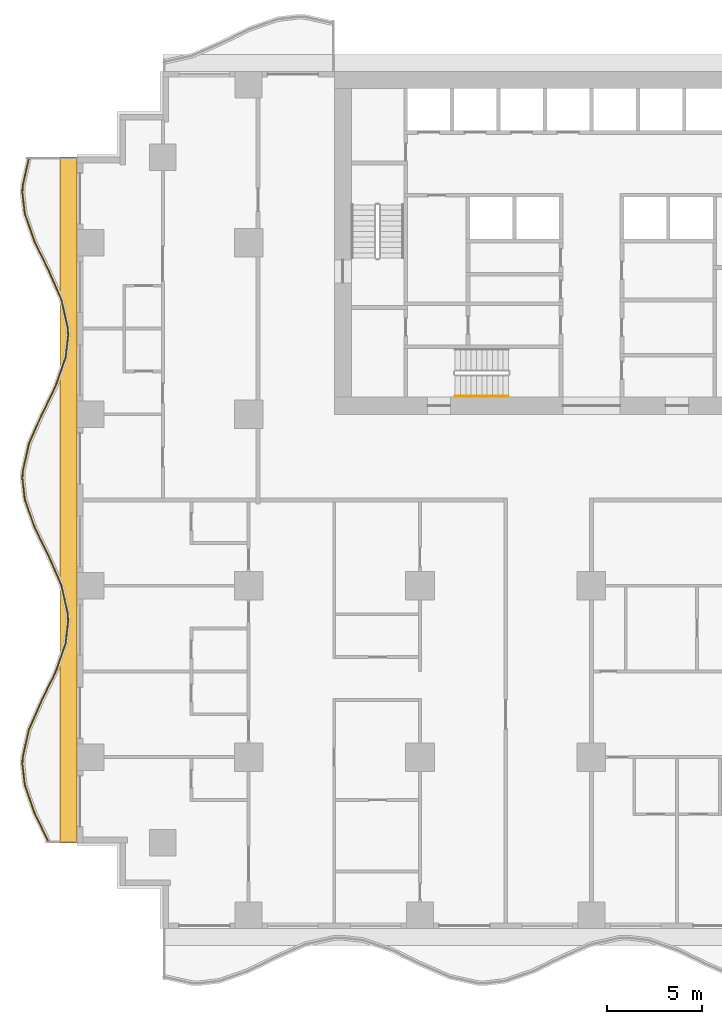
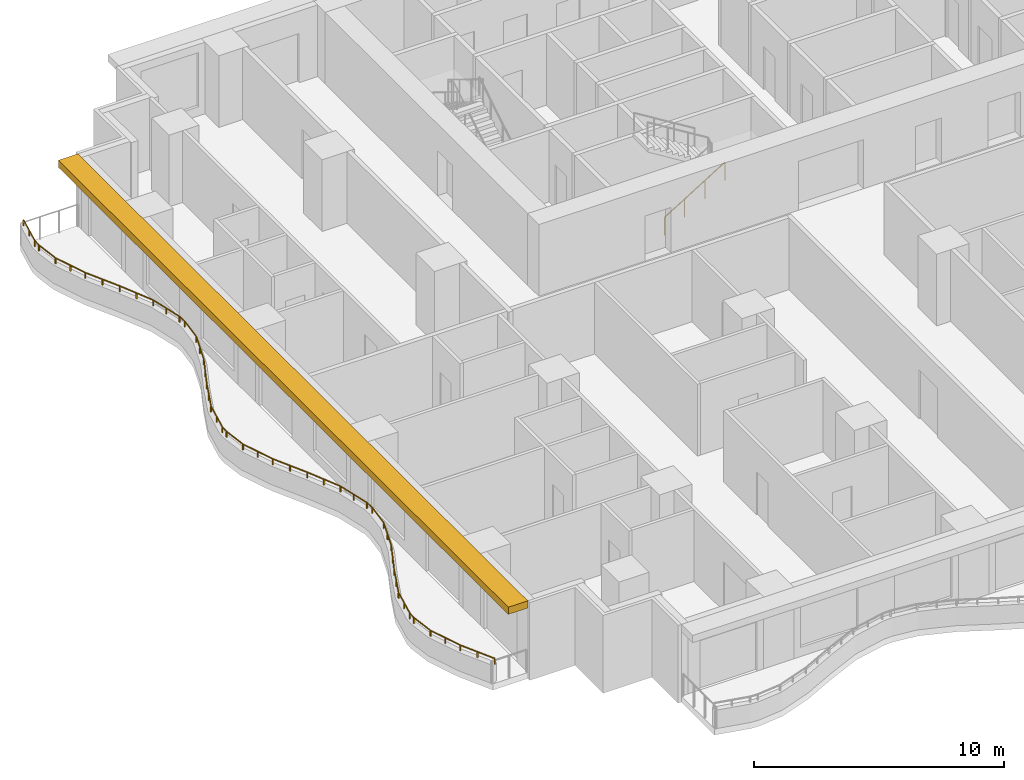
# One storey, part 9 of 14: 2 railings, 1 shading device.
"""IFC4 building model written with IfcOpenShell, lengths in metres."""

from ifc_helpers import new_model, si_unit, direction, frame, origin, origin_2d, place, context, subcontext, project, spatial, polyline, rectangle, circle, outline, extrude, material, layer, layer_set, type_object, element, save


model = new_model("IFC4")

# Units and contexts
model_context = context("Model", 3, precision=1e-05, world=origin(), true_north=direction((0.0, 1.0)))
body_context = subcontext(model_context, "Body", "Model", "MODEL_VIEW")
ifc_project = project(units=[si_unit("LENGTHUNIT", "METRE"), si_unit("AREAUNIT", "SQUARE_METRE"), si_unit("VOLUMEUNIT", "CUBIC_METRE"), si_unit("PLANEANGLEUNIT", "RADIAN"), si_unit("MASSUNIT", "GRAM", prefix="KILO")], contexts=[model_context])

# Site, building, storey
site_placement = place(None, origin())
site = spatial("IfcSite", under=ifc_project, at=site_placement, CompositionType="ELEMENT")
building_placement = place(site_placement, origin())
building = spatial("IfcBuilding", under=site, at=building_placement, Name="Orbiselva Terraces", CompositionType="ELEMENT")
storey_placement = place(building_placement, frame((0.0, 0.0, 49.2)))
storey = spatial("IfcBuildingStorey", under=building, at=storey_placement, Name="L12", CompositionType="ELEMENT", Elevation=49.2)

# Railings
ifc_material_1 = material(Name="Stainless steel", Category="steel")
railing_type_1 = type_object("IfcRailingType", Name="CORE-HANDRAIL-900", PredefinedType="HANDRAIL", material=ifc_material_1)
railing_1_placement = place(storey_placement, frame((-7.15, 5.45, 0.172727)))
element("IfcRailing", 1, at=railing_1_placement, inside=storey, type_object=railing_type_1, Name="L12 S3 stair handrail 1", PredefinedType="HANDRAIL", context=body_context, shape_type="SweptSolid", body=[
    extrude(circle(Radius=0.024, at=origin_2d()), frame((0.0, 0.0, 0.876), z_axis=(0.851088519012, 0.0, 0.52502222125), x_axis=(0.0, 1.0, 0.0)), (0.0, 0.0, 1.0), 3.289905),
    extrude(circle(Radius=0.021, at=origin_2d()), origin(), (0.0, 0.0, 1.0), 0.852),
    extrude(circle(Radius=0.021, at=origin_2d()), frame((0.933333, 0.0, 0.575758)), (0.0, 0.0, 1.0), 0.852),
    extrude(circle(Radius=0.021, at=origin_2d()), frame((1.866667, 0.0, 1.151515)), (0.0, 0.0, 1.0), 0.852),
    extrude(circle(Radius=0.021, at=origin_2d()), frame((2.8, 0.0, 1.727273)), (0.0, 0.0, 1.0), 0.852),
])
ifc_material_2 = material(Name="Bonded two-ply safety glass balustrade, stainless steel posts", Category="steel")
railing_type_2 = type_object("IfcRailingType", Name="ENV-BALUSTRADE-1200", PredefinedType="BALUSTRADE", material=ifc_material_2)
railing_2_placement = place(storey_placement, frame((-29.526563, 17.972623, 0.9)))
element("IfcRailing", 2, at=railing_2_placement, inside=storey, type_object=railing_type_2, Name="Balcony balustrade L12 W", PredefinedType="BALUSTRADE", context=body_context, shape_type="SweptSolid", body=[
    extrude(outline(polyline([(0.028868, 0.0), (0.014434, 0.025), (-0.014434, 0.025), (-0.028868, 0.0), (-0.014434, -0.025), (0.014434, -0.025), (0.028868, 0.0)])), frame((0.0, 0.0, 0.275), z_axis=(-0.21901575501, -0.975721322437, 0.0), x_axis=(0.975721322437, -0.21901575501, 0.0)), (0.0, 0.0, 1.0), 1.525954),
    extrude(outline(polyline([(0.028868, 0.0), (0.014434, 0.025), (-0.014434, 0.025), (-0.028868, 0.0), (-0.014434, -0.025), (0.014434, -0.025), (0.028868, 0.0)])), frame((-0.334208, -1.488906, 0.275), z_axis=(-0.039364150694, -0.999224931454, 0.0), x_axis=(0.999224931454, -0.039364150694, 0.0)), (0.0, 0.0, 1.0), 0.354206),
    extrude(outline(polyline([(0.028868, 0.0), (0.014434, 0.025), (-0.014434, 0.025), (-0.028868, 0.0), (-0.014434, -0.025), (0.014434, -0.025), (0.028868, 0.0)])), frame((-0.348151, -1.842837, 0.275), z_axis=(0.115481264762, -0.993309658409, 0.0), x_axis=(0.993309658409, 0.115481264762, 0.0)), (0.0, 0.0, 1.0), 1.10902),
    extrude(outline(polyline([(0.028868, 0.0), (0.014434, 0.025), (-0.014434, 0.025), (-0.028868, 0.0), (-0.014434, -0.025), (0.014434, -0.025), (0.028868, 0.0)])), frame((-0.22008, -2.944437, 0.275), z_axis=(0.330024754707, -0.943972277814, 0.0), x_axis=(0.943972277814, 0.330024754707, 0.0)), (0.0, 0.0, 1.0), 1.567807),
    extrude(outline(polyline([(0.028868, 0.0), (0.014434, 0.025), (-0.014434, 0.025), (-0.028868, 0.0), (-0.014434, -0.025), (0.014434, -0.025), (0.028868, 0.0)])), frame((0.297335, -4.424403, 0.275), z_axis=(0.438811978768, -0.89857890432, 0.0), x_axis=(0.89857890432, 0.438811978768, 0.0)), (0.0, 0.0, 1.0), 1.66438),
    extrude(outline(polyline([(0.028868, 0.0), (0.014434, 0.025), (-0.014434, 0.025), (-0.028868, 0.0), (-0.014434, -0.025), (0.014434, -0.025), (0.028868, 0.0)])), frame((1.027685, -5.91998, 0.275), z_axis=(0.403150874148, -0.915133527237, 0.0), x_axis=(0.915133527237, 0.403150874148, 0.0)), (0.0, 0.0, 1.0), 1.653736),
    extrude(outline(polyline([(0.028868, 0.0), (0.014434, 0.025), (-0.014434, 0.025), (-0.028868, 0.0), (-0.014434, -0.025), (0.014434, -0.025), (0.028868, 0.0)])), frame((1.69439, -7.433369, 0.275), z_axis=(0.219015500924, -0.97572137947, 0.0), x_axis=(0.97572137947, 0.219015500924, 0.0)), (0.0, 0.0, 1.0), 1.560867),
    extrude(outline(polyline([(0.028868, 0.0), (0.014434, 0.025), (-0.014434, 0.025), (-0.028868, 0.0), (-0.014434, -0.025), (0.014434, -0.025), (0.028868, 0.0)])), frame((2.036244, -8.95634, 0.275), z_axis=(0.03936915532, -0.999224734286, 0.0), x_axis=(0.999224734286, 0.03936915532, 0.0)), (0.0, 0.0, 1.0), 0.396376),
    extrude(outline(polyline([(0.028868, 0.0), (0.014434, 0.025), (-0.014434, 0.025), (-0.028868, 0.0), (-0.014434, -0.025), (0.014434, -0.025), (0.028868, 0.0)])), frame((2.051849, -9.352409, 0.275), z_axis=(-0.115482182324, -0.993309551734, 0.0), x_axis=(0.993309551734, -0.115482182324, 0.0)), (0.0, 0.0, 1.0), 1.156135),
    extrude(outline(polyline([(0.028868, 0.0), (0.014434, 0.025), (-0.014434, 0.025), (-0.028868, 0.0), (-0.014434, -0.025), (0.014434, -0.025), (0.028868, 0.0)])), frame((1.918336, -10.500809, 0.275), z_axis=(-0.330024597479, -0.943972332783, 0.0), x_axis=(0.943972332783, -0.330024597479, 0.0)), (0.0, 0.0, 1.0), 1.610253),
    extrude(outline(polyline([(0.028868, 0.0), (0.014434, 0.025), (-0.014434, 0.025), (-0.028868, 0.0), (-0.014434, -0.025), (0.014434, -0.025), (0.028868, 0.0)])), frame((1.386913, -12.020843, 0.275), z_axis=(-0.438812048596, -0.898578870221, 0.0), x_axis=(0.898578870221, -0.438812048596, 0.0)), (0.0, 0.0, 1.0), 1.674225),
    extrude(outline(polyline([(0.028868, 0.0), (0.014434, 0.025), (-0.014434, 0.025), (-0.028868, 0.0), (-0.014434, -0.025), (0.014434, -0.025), (0.028868, 0.0)])), frame((0.652243, -13.525266, 0.275), z_axis=(-0.403151245402, -0.915133363686, 0.0), x_axis=(0.915133363686, -0.403151245402, 0.0)), (0.0, 0.0, 1.0), 1.624475),
    extrude(outline(polyline([(0.028868, 0.0), (0.014434, 0.025), (-0.014434, 0.025), (-0.028868, 0.0), (-0.014434, -0.025), (0.014434, -0.025), (0.028868, 0.0)])), frame((-0.002666, -15.011877, 0.275), z_axis=(-0.219015740235, -0.975721325753, 0.0), x_axis=(0.975721325753, -0.219015740235, 0.0)), (0.0, 0.0, 1.0), 1.513782),
    extrude(outline(polyline([(0.028868, 0.0), (0.014434, 0.025), (-0.014434, 0.025), (-0.028868, 0.0), (-0.014434, -0.025), (0.014434, -0.025), (0.028868, 0.0)])), frame((-0.334208, -16.488906, 0.275), z_axis=(-0.039364150694, -0.999224931454, 0.0), x_axis=(0.999224931454, -0.039364150694, 0.0)), (0.0, 0.0, 1.0), 0.354206),
    extrude(outline(polyline([(0.028868, 0.0), (0.014434, 0.025), (-0.014434, 0.025), (-0.028868, 0.0), (-0.014434, -0.025), (0.014434, -0.025), (0.028868, 0.0)])), frame((-0.348151, -16.842837, 0.275), z_axis=(0.115481264762, -0.993309658409, 0.0), x_axis=(0.993309658409, 0.115481264762, 0.0)), (0.0, 0.0, 1.0), 1.10902),
    extrude(outline(polyline([(0.028868, 0.0), (0.014434, 0.025), (-0.014434, 0.025), (-0.028868, 0.0), (-0.014434, -0.025), (0.014434, -0.025), (0.028868, 0.0)])), frame((-0.22008, -17.944437, 0.275), z_axis=(0.330024754707, -0.943972277814, 0.0), x_axis=(0.943972277814, 0.330024754707, 0.0)), (0.0, 0.0, 1.0), 1.567807),
    extrude(outline(polyline([(0.028868, 0.0), (0.014434, 0.025), (-0.014434, 0.025), (-0.028868, 0.0), (-0.014434, -0.025), (0.014434, -0.025), (0.028868, 0.0)])), frame((0.297335, -19.424403, 0.275), z_axis=(0.438811978768, -0.89857890432, 0.0), x_axis=(0.89857890432, 0.438811978768, 0.0)), (0.0, 0.0, 1.0), 1.66438),
    extrude(outline(polyline([(0.028868, 0.0), (0.014434, 0.025), (-0.014434, 0.025), (-0.028868, 0.0), (-0.014434, -0.025), (0.014434, -0.025), (0.028868, 0.0)])), frame((1.027685, -20.91998, 0.275), z_axis=(0.403150874148, -0.915133527237, 0.0), x_axis=(0.915133527237, 0.403150874148, 0.0)), (0.0, 0.0, 1.0), 1.653736),
    extrude(outline(polyline([(0.028868, 0.0), (0.014434, 0.025), (-0.014434, 0.025), (-0.028868, 0.0), (-0.014434, -0.025), (0.014434, -0.025), (0.028868, 0.0)])), frame((1.69439, -22.433369, 0.275), z_axis=(0.219015500924, -0.97572137947, 0.0), x_axis=(0.97572137947, 0.219015500924, 0.0)), (0.0, 0.0, 1.0), 1.560867),
    extrude(outline(polyline([(0.028868, 0.0), (0.014434, 0.025), (-0.014434, 0.025), (-0.028868, 0.0), (-0.014434, -0.025), (0.014434, -0.025), (0.028868, 0.0)])), frame((2.036244, -23.95634, 0.275), z_axis=(0.03936915532, -0.999224734286, 0.0), x_axis=(0.999224734286, 0.03936915532, 0.0)), (0.0, 0.0, 1.0), 0.396376),
    extrude(outline(polyline([(0.028868, 0.0), (0.014434, 0.025), (-0.014434, 0.025), (-0.028868, 0.0), (-0.014434, -0.025), (0.014434, -0.025), (0.028868, 0.0)])), frame((2.051849, -24.352409, 0.275), z_axis=(-0.115482182324, -0.993309551734, 0.0), x_axis=(0.993309551734, -0.115482182324, 0.0)), (0.0, 0.0, 1.0), 1.156135),
    extrude(outline(polyline([(0.028868, 0.0), (0.014434, 0.025), (-0.014434, 0.025), (-0.028868, 0.0), (-0.014434, -0.025), (0.014434, -0.025), (0.028868, 0.0)])), frame((1.918336, -25.500809, 0.275), z_axis=(-0.330024597479, -0.943972332783, 0.0), x_axis=(0.943972332783, -0.330024597479, 0.0)), (0.0, 0.0, 1.0), 1.610253),
    extrude(outline(polyline([(0.028868, 0.0), (0.014434, 0.025), (-0.014434, 0.025), (-0.028868, 0.0), (-0.014434, -0.025), (0.014434, -0.025), (0.028868, 0.0)])), frame((1.386913, -27.020843, 0.275), z_axis=(-0.438812048596, -0.898578870221, 0.0), x_axis=(0.898578870221, -0.438812048596, 0.0)), (0.0, 0.0, 1.0), 1.674225),
    extrude(outline(polyline([(0.028868, 0.0), (0.014434, 0.025), (-0.014434, 0.025), (-0.028868, 0.0), (-0.014434, -0.025), (0.014434, -0.025), (0.028868, 0.0)])), frame((0.652243, -28.525266, 0.275), z_axis=(-0.403151245402, -0.915133363686, 0.0), x_axis=(0.915133363686, -0.403151245402, 0.0)), (0.0, 0.0, 1.0), 1.624475),
    extrude(outline(polyline([(0.028868, 0.0), (0.014434, 0.025), (-0.014434, 0.025), (-0.028868, 0.0), (-0.014434, -0.025), (0.014434, -0.025), (0.028868, 0.0)])), frame((-0.002666, -30.011877, 0.275), z_axis=(-0.219015740235, -0.975721325753, 0.0), x_axis=(0.975721325753, -0.219015740235, 0.0)), (0.0, 0.0, 1.0), 1.513782),
    extrude(outline(polyline([(0.028868, 0.0), (0.014434, 0.025), (-0.014434, 0.025), (-0.028868, 0.0), (-0.014434, -0.025), (0.014434, -0.025), (0.028868, 0.0)])), frame((-0.334208, -31.488906, 0.275), z_axis=(-0.039364150694, -0.999224931454, 0.0), x_axis=(0.999224931454, -0.039364150694, 0.0)), (0.0, 0.0, 1.0), 0.354206),
    extrude(outline(polyline([(0.028868, 0.0), (0.014434, 0.025), (-0.014434, 0.025), (-0.028868, 0.0), (-0.014434, -0.025), (0.014434, -0.025), (0.028868, 0.0)])), frame((-0.348151, -31.842837, 0.275), z_axis=(0.115481264762, -0.993309658409, 0.0), x_axis=(0.993309658409, 0.115481264762, 0.0)), (0.0, 0.0, 1.0), 1.10902),
    extrude(outline(polyline([(0.028868, 0.0), (0.014434, 0.025), (-0.014434, 0.025), (-0.028868, 0.0), (-0.014434, -0.025), (0.014434, -0.025), (0.028868, 0.0)])), frame((-0.22008, -32.944437, 0.275), z_axis=(0.330024754707, -0.943972277814, 0.0), x_axis=(0.943972277814, 0.330024754707, 0.0)), (0.0, 0.0, 1.0), 1.567807),
    extrude(outline(polyline([(0.028868, 0.0), (0.014434, 0.025), (-0.014434, 0.025), (-0.028868, 0.0), (-0.014434, -0.025), (0.014434, -0.025), (0.028868, 0.0)])), frame((0.297335, -34.424403, 0.275), z_axis=(0.438811853882, -0.898578965307, 0.0), x_axis=(0.898578965307, 0.438811853882, 0.0)), (0.0, 0.0, 1.0), 1.661922),
    extrude(rectangle(XDim=0.05, YDim=0.05, at=origin_2d()), origin(), (0.0, 0.0, 1.0), 0.25),
    extrude(rectangle(XDim=0.05, YDim=0.05, at=origin_2d()), frame((-0.167104, -0.744453, 0.0)), (0.0, 0.0, 1.0), 0.25),
    extrude(rectangle(XDim=0.05, YDim=0.05, at=origin_2d()), frame((-0.334208, -1.488906, 0.0)), (0.0, 0.0, 1.0), 0.25),
    extrude(rectangle(XDim=0.05, YDim=0.05, at=origin_2d()), frame((-0.348151, -1.842837, 0.0)), (0.0, 0.0, 1.0), 0.25),
    extrude(rectangle(XDim=0.05, YDim=0.05, at=origin_2d()), frame((-0.22008, -2.944437, 0.0)), (0.0, 0.0, 1.0), 0.25),
    extrude(rectangle(XDim=0.05, YDim=0.05, at=origin_2d()), frame((0.038628, -3.68442, 0.0)), (0.0, 0.0, 1.0), 0.25),
    extrude(rectangle(XDim=0.05, YDim=0.05, at=origin_2d()), frame((0.297335, -4.424403, 0.0)), (0.0, 0.0, 1.0), 0.25),
    extrude(rectangle(XDim=0.05, YDim=0.05, at=origin_2d()), frame((0.66251, -5.172191, 0.0)), (0.0, 0.0, 1.0), 0.25),
    extrude(rectangle(XDim=0.05, YDim=0.05, at=origin_2d()), frame((1.027685, -5.91998, 0.0)), (0.0, 0.0, 1.0), 0.25),
    extrude(rectangle(XDim=0.05, YDim=0.05, at=origin_2d()), frame((1.361037, -6.676674, 0.0)), (0.0, 0.0, 1.0), 0.25),
    extrude(rectangle(XDim=0.05, YDim=0.05, at=origin_2d()), frame((1.69439, -7.433369, 0.0)), (0.0, 0.0, 1.0), 0.25),
    extrude(rectangle(XDim=0.05, YDim=0.05, at=origin_2d()), frame((1.865317, -8.194854, 0.0)), (0.0, 0.0, 1.0), 0.25),
    extrude(rectangle(XDim=0.05, YDim=0.05, at=origin_2d()), frame((2.036244, -8.95634, 0.0)), (0.0, 0.0, 1.0), 0.25),
    extrude(rectangle(XDim=0.05, YDim=0.05, at=origin_2d()), frame((2.051849, -9.352409, 0.0)), (0.0, 0.0, 1.0), 0.25),
    extrude(rectangle(XDim=0.05, YDim=0.05, at=origin_2d()), frame((1.918336, -10.500809, 0.0)), (0.0, 0.0, 1.0), 0.25),
    extrude(rectangle(XDim=0.05, YDim=0.05, at=origin_2d()), frame((1.652624, -11.260826, 0.0)), (0.0, 0.0, 1.0), 0.25),
    extrude(rectangle(XDim=0.05, YDim=0.05, at=origin_2d()), frame((1.386913, -12.020843, 0.0)), (0.0, 0.0, 1.0), 0.25),
    extrude(rectangle(XDim=0.05, YDim=0.05, at=origin_2d()), frame((1.019578, -12.773054, 0.0)), (0.0, 0.0, 1.0), 0.25),
    extrude(rectangle(XDim=0.05, YDim=0.05, at=origin_2d()), frame((0.652243, -13.525266, 0.0)), (0.0, 0.0, 1.0), 0.25),
    extrude(rectangle(XDim=0.05, YDim=0.05, at=origin_2d()), frame((0.324788, -14.268571, 0.0)), (0.0, 0.0, 1.0), 0.25),
    extrude(rectangle(XDim=0.05, YDim=0.05, at=origin_2d()), frame((-0.002666, -15.011877, 0.0)), (0.0, 0.0, 1.0), 0.25),
    extrude(rectangle(XDim=0.05, YDim=0.05, at=origin_2d()), frame((-0.168437, -15.750392, 0.0)), (0.0, 0.0, 1.0), 0.25),
    extrude(rectangle(XDim=0.05, YDim=0.05, at=origin_2d()), frame((-0.334208, -16.488906, 0.0)), (0.0, 0.0, 1.0), 0.25),
    extrude(rectangle(XDim=0.05, YDim=0.05, at=origin_2d()), frame((-0.348151, -16.842837, 0.0)), (0.0, 0.0, 1.0), 0.25),
    extrude(rectangle(XDim=0.05, YDim=0.05, at=origin_2d()), frame((-0.22008, -17.944437, 0.0)), (0.0, 0.0, 1.0), 0.25),
    extrude(rectangle(XDim=0.05, YDim=0.05, at=origin_2d()), frame((0.038628, -18.68442, 0.0)), (0.0, 0.0, 1.0), 0.25),
    extrude(rectangle(XDim=0.05, YDim=0.05, at=origin_2d()), frame((0.297335, -19.424403, 0.0)), (0.0, 0.0, 1.0), 0.25),
    extrude(rectangle(XDim=0.05, YDim=0.05, at=origin_2d()), frame((0.66251, -20.172191, 0.0)), (0.0, 0.0, 1.0), 0.25),
    extrude(rectangle(XDim=0.05, YDim=0.05, at=origin_2d()), frame((1.027685, -20.91998, 0.0)), (0.0, 0.0, 1.0), 0.25),
    extrude(rectangle(XDim=0.05, YDim=0.05, at=origin_2d()), frame((1.361037, -21.676674, 0.0)), (0.0, 0.0, 1.0), 0.25),
    extrude(rectangle(XDim=0.05, YDim=0.05, at=origin_2d()), frame((1.69439, -22.433369, 0.0)), (0.0, 0.0, 1.0), 0.25),
    extrude(rectangle(XDim=0.05, YDim=0.05, at=origin_2d()), frame((1.865317, -23.194854, 0.0)), (0.0, 0.0, 1.0), 0.25),
    extrude(rectangle(XDim=0.05, YDim=0.05, at=origin_2d()), frame((2.036244, -23.95634, 0.0)), (0.0, 0.0, 1.0), 0.25),
    extrude(rectangle(XDim=0.05, YDim=0.05, at=origin_2d()), frame((2.051849, -24.352409, 0.0)), (0.0, 0.0, 1.0), 0.25),
    extrude(rectangle(XDim=0.05, YDim=0.05, at=origin_2d()), frame((1.918336, -25.500809, 0.0)), (0.0, 0.0, 1.0), 0.25),
    extrude(rectangle(XDim=0.05, YDim=0.05, at=origin_2d()), frame((1.652624, -26.260826, 0.0)), (0.0, 0.0, 1.0), 0.25),
    extrude(rectangle(XDim=0.05, YDim=0.05, at=origin_2d()), frame((1.386913, -27.020843, 0.0)), (0.0, 0.0, 1.0), 0.25),
    extrude(rectangle(XDim=0.05, YDim=0.05, at=origin_2d()), frame((1.019578, -27.773054, 0.0)), (0.0, 0.0, 1.0), 0.25),
    extrude(rectangle(XDim=0.05, YDim=0.05, at=origin_2d()), frame((0.652243, -28.525266, 0.0)), (0.0, 0.0, 1.0), 0.25),
    extrude(rectangle(XDim=0.05, YDim=0.05, at=origin_2d()), frame((0.324788, -29.268572, 0.0)), (0.0, 0.0, 1.0), 0.25),
    extrude(rectangle(XDim=0.05, YDim=0.05, at=origin_2d()), frame((-0.002666, -30.011877, 0.0)), (0.0, 0.0, 1.0), 0.25),
    extrude(rectangle(XDim=0.05, YDim=0.05, at=origin_2d()), frame((-0.168437, -30.750392, 0.0)), (0.0, 0.0, 1.0), 0.25),
    extrude(rectangle(XDim=0.05, YDim=0.05, at=origin_2d()), frame((-0.334208, -31.488906, 0.0)), (0.0, 0.0, 1.0), 0.25),
    extrude(rectangle(XDim=0.05, YDim=0.05, at=origin_2d()), frame((-0.348151, -31.842837, 0.0)), (0.0, 0.0, 1.0), 0.25),
    extrude(rectangle(XDim=0.05, YDim=0.05, at=origin_2d()), frame((-0.22008, -32.944437, 0.0)), (0.0, 0.0, 1.0), 0.25),
    extrude(rectangle(XDim=0.05, YDim=0.05, at=origin_2d()), frame((0.038628, -33.68442, 0.0)), (0.0, 0.0, 1.0), 0.25),
    extrude(rectangle(XDim=0.05, YDim=0.05, at=origin_2d()), frame((0.297335, -34.424403, 0.0)), (0.0, 0.0, 1.0), 0.25),
    extrude(rectangle(XDim=0.05, YDim=0.05, at=origin_2d()), frame((0.661971, -35.171087, 0.0)), (0.0, 0.0, 1.0), 0.25),
    extrude(rectangle(XDim=0.05, YDim=0.05, at=origin_2d()), frame((1.026606, -35.917771, 0.0)), (0.0, 0.0, 1.0), 0.25),
])

# Shading device
ifc_material_3 = material(Name="Terracotta baguette sunshade", Category="masonry")
ifc_layer = layer(ifc_material_3, 0.35)
ifc_layer_set = layer_set([ifc_layer], Name="Terracotta baguette sunshade")
shading_device_type = type_object("IfcShadingDeviceType", Name="ENV-SUNSHADE-900x350", PredefinedType="USERDEFINED", material=ifc_layer_set)
shading_device_placement = place(storey_placement, frame((0.0, 0.0, 3.15)))
element("IfcShadingDevice", 3, at=shading_device_placement, inside=storey, type_object=shading_device_type, Name="Sunshade band L12 W", ObjectType="SUNSHADE", PredefinedType="USERDEFINED", context=body_context, shape_type="SweptSolid", body=[
    extrude(outline(polyline([(-27.9, 18.0), (-27.9, -18.0), (-27.0, -18.0), (-27.0, 18.0), (-27.9, 18.0)])), origin(), (0.0, 0.0, 1.0), 0.35),
])

save(model, "model.ifc")
